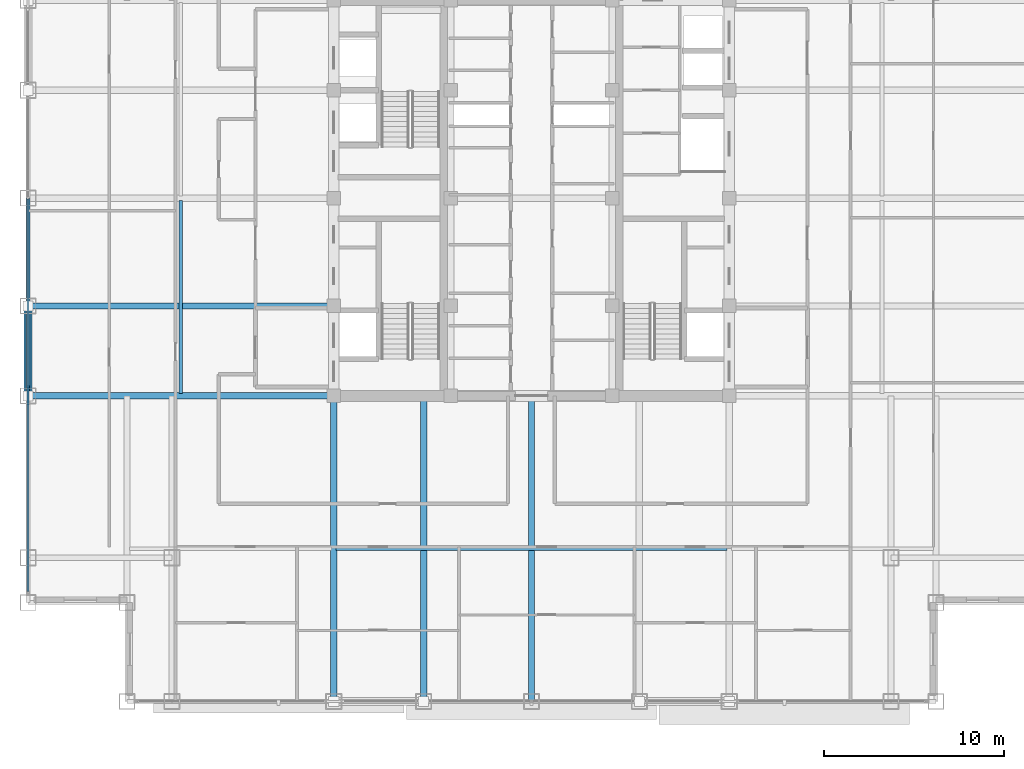
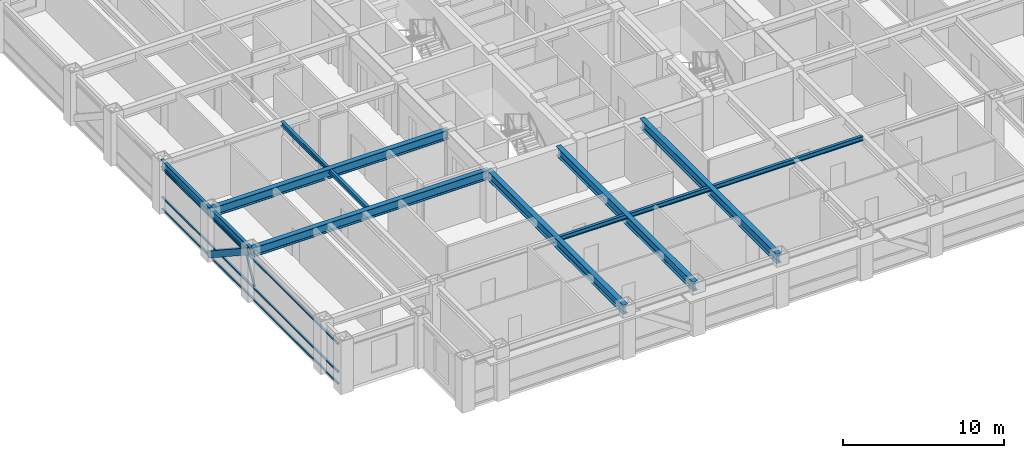
# One storey, part 5 of 29: 9 beams, 5 members, 1 element without a shape of its own.
"""IFC4 building model written with IfcOpenShell, lengths in metres."""

from ifc_helpers import new_model, si_unit, direction, frame, origin, origin_2d, place, context, subcontext, project, spatial, hollow_rectangle, i_section, extrude, source, transform, mapped, material, material_profile, profile_set, type_object, element, aggregate, save


model = new_model("IFC4")

# Units and contexts
model_context = context("Model", 3, precision=1e-05, world=origin(), true_north=direction((0.0, 1.0)))
body_context = subcontext(model_context, "Body", "Model", "MODEL_VIEW")
ifc_project = project(units=[si_unit("LENGTHUNIT", "METRE"), si_unit("AREAUNIT", "SQUARE_METRE"), si_unit("VOLUMEUNIT", "CUBIC_METRE"), si_unit("PLANEANGLEUNIT", "RADIAN"), si_unit("MASSUNIT", "GRAM", prefix="KILO")], contexts=[model_context])

# Site, building, storey
site_placement = place(None, origin())
site = spatial("IfcSite", under=ifc_project, at=site_placement, CompositionType="ELEMENT")
building_placement = place(site_placement, origin())
building = spatial("IfcBuilding", under=site, at=building_placement, Name="Khorayat Bourse Tower", CompositionType="ELEMENT")
storey_placement = place(building_placement, frame((0.0, 0.0, 277.5)))
storey = spatial("IfcBuildingStorey", under=building, at=storey_placement, Name="L65", CompositionType="ELEMENT", Elevation=277.5)

# Member
ifc_material_1 = material(Name="Steel EN 10025-4 S460M", Category="steel")
ifc_material_profile_1 = material_profile(ifc_material_1, hollow_rectangle(XDim=0.449951171875, YDim=0.449951171875, WallThickness=0.02490234375, at=origin_2d()), Name="HSS 450x450x25")
ifc_profile_set_1 = profile_set([ifc_material_profile_1], Name="Steel EN 10025-4 S460M")
member_type_1 = type_object("IfcMemberType", Name="MBR-TUBE-450", PredefinedType="BRACE", material=ifc_profile_set_1)
shared_shape_1 = source(origin(), body_context, "Body", "SweptSolid", [
    extrude(hollow_rectangle(XDim=0.449951171875, YDim=0.449951171875, WallThickness=0.02490234375, at=origin_2d()), origin(), (0.0, 0.0, 1.0), 5.979736328125),
])
member_1_placement = place(storey_placement, frame((-28.0, -11.0, 3.530029296875), z_axis=(0.0, 0.836141536525, -0.548513747227), x_axis=(-1.0, 0.0, 0.0)))
element("IfcMember", 1, at=member_1_placement, inside=storey, type_object=member_type_1, Name="L65 Perimeter Tube Brace 05", PredefinedType="BRACE", context=body_context, shape_type="MappedRepresentation", body=[
    mapped(shared_shape_1, transform((0.0, 0.0, 0.0), scale=1.0)),
])

# Beams
ifc_material_2 = material(Name="Steel ASTM A992 Grade 50", Category="steel")
ifc_material_profile_2 = material_profile(ifc_material_2, i_section(OverallWidth=0.35498046875, OverallDepth=0.695068359375, WebThickness=0.015380859375, FlangeThickness=0.02490234375, FilletRadius=0.01806640625, at=origin_2d()), Name="W690X217")
ifc_profile_set_2 = profile_set([ifc_material_profile_2], Name="Steel ASTM A992 Grade 50")
beam_type_1 = type_object("IfcBeamType", Name="BM-GIRD-690", PredefinedType="BEAM", material=ifc_profile_set_2)
shared_shape_2 = source(origin(), body_context, "Body", "SweptSolid", [
    extrude(i_section(OverallWidth=0.35498046875, OverallDepth=0.695068359375, WebThickness=0.015380859375, FlangeThickness=0.02490234375, FilletRadius=0.01806640625, at=origin_2d()), origin(), (0.0, 0.0, 1.0), 17.0),
])
for number, where, z_axis, x_axis, name in (
    (2, (-11.0, -28.0, 3.4326171875), (0.0, 1.0, 0.0), (-1.0, 0.0, 0.0), "L65 BM-GIRD-690 BM-L65-RADY-065"),
    (3, (-6.0, -28.0, 3.4326171875), (0.0, 1.0, 0.0), (-1.0, 0.0, 0.0), "L65 BM-GIRD-690 BM-L65-RADY-067"),
    (4, (0.0, -28.0, 3.4326171875), (0.0, 1.0, 0.0), (-1.0, 0.0, 0.0), "L65 BM-GIRD-690 BM-L65-RADY-069"),
    (5, (-28.0, -11.0, 3.4326171875), (1.0, 0.0, 0.0), (0.0, 1.0, 0.0), "L65 BM-GIRD-690 BM-L65-RADX-075"),
    (6, (-28.0, -6.0, 3.4326171875), (1.0, 0.0, 0.0), (0.0, 1.0, 0.0), "L65 BM-GIRD-690 BM-L65-RADX-077"),
):
    element("IfcBeam", number, at=place(storey_placement, frame(where, z_axis=z_axis, x_axis=x_axis)), inside=storey, type_object=beam_type_1, Name=name, PredefinedType="BEAM", context=body_context, shape_type="MappedRepresentation", body=[
        mapped(shared_shape_2, transform((0.0, 0.0, 0.0), scale=1.0)),
    ])
ifc_material_profile_3 = material_profile(ifc_material_2, i_section(OverallWidth=0.202880859375, OverallDepth=0.346923828125, WebThickness=0.0078125, FlangeThickness=0.013427734375, FilletRadius=0.010009765625, at=origin_2d()), Name="W360X64")
ifc_profile_set_3 = profile_set([ifc_material_profile_3], Name="Steel ASTM A992 Grade 50")
beam_type_2 = type_object("IfcBeamType", Name="BM-JOIST-360", PredefinedType="JOIST", material=ifc_profile_set_3)
shared_shape_3 = source(origin(), body_context, "Body", "SweptSolid", [
    extrude(i_section(OverallWidth=0.202880859375, OverallDepth=0.346923828125, WebThickness=0.0078125, FlangeThickness=0.013427734375, FilletRadius=0.010009765625, at=origin_2d()), origin(), (0.0, 0.0, 1.0), 21.740234375),
])
beam_1_placement = place(storey_placement, frame((-10.8701171875, -19.5, 3.6064453125), z_axis=(1.0, 0.0, 0.0), x_axis=(0.0, 1.0, 0.0)))
element("IfcBeam", 7, at=beam_1_placement, inside=storey, type_object=beam_type_2, Name="L65 BM-JOIST-360 BM-L65-JSTX-097", PredefinedType="JOIST", context=body_context, shape_type="MappedRepresentation", body=[
    mapped(shared_shape_3, transform((0.0, 0.0, 0.0), scale=1.0)),
])
shared_shape_4 = source(origin(), body_context, "Body", "SweptSolid", [
    extrude(i_section(OverallWidth=0.202880859375, OverallDepth=0.346923828125, WebThickness=0.0078125, FlangeThickness=0.013427734375, FilletRadius=0.010009765625, at=origin_2d()), origin(), (0.0, 0.0, 1.0), 10.740234375),
])
beam_2_placement = place(storey_placement, frame((-19.5, -10.8701171875, 3.6064453125), z_axis=(0.0, 1.0, 0.0), x_axis=(-1.0, 0.0, 0.0)))
element("IfcBeam", 8, at=beam_2_placement, inside=storey, type_object=beam_type_2, Name="L65 BM-JOIST-360 BM-L65-JSTY-102", PredefinedType="JOIST", context=body_context, shape_type="MappedRepresentation", body=[
    mapped(shared_shape_4, transform((0.0, 0.0, 0.0), scale=1.0)),
])
ifc_material_profile_4 = material_profile(ifc_material_2, i_section(OverallWidth=0.214111328125, OverallDepth=0.549072265625, WebThickness=0.0146484375, FlangeThickness=0.023681640625, FilletRadius=0.013916015625, at=origin_2d()), Name="W530X138")
ifc_profile_set_4 = profile_set([ifc_material_profile_4], Name="Steel ASTM A992 Grade 50")
beam_type_3 = type_object("IfcBeamType", Name="BM-SPAN-530", PredefinedType="SPANDREL", material=ifc_profile_set_4)
shared_shape_5 = source(origin(), body_context, "Body", "SweptSolid", [
    extrude(i_section(OverallWidth=0.214111328125, OverallDepth=0.549072265625, WebThickness=0.0146484375, FlangeThickness=0.023681640625, FilletRadius=0.013916015625, at=origin_2d()), origin(), (0.0, 0.0, 1.0), 5.0),
])
beam_3_placement = place(storey_placement, frame((-28.0, -11.0, 3.505615234375), z_axis=(0.0, 1.0, 0.0), x_axis=(-1.0, 0.0, 0.0)))
element("IfcBeam", 9, at=beam_3_placement, inside=storey, type_object=beam_type_3, Name="L65 BM-SPAN-530 BM-L65-SPN-059", PredefinedType="SPANDREL", context=body_context, shape_type="MappedRepresentation", body=[
    mapped(shared_shape_5, transform((0.0, 0.0, 0.0), scale=1.0)),
])
shared_shape_6 = source(origin(), body_context, "Body", "SweptSolid", [
    extrude(i_section(OverallWidth=0.214111328125, OverallDepth=0.549072265625, WebThickness=0.0146484375, FlangeThickness=0.023681640625, FilletRadius=0.013916015625, at=origin_2d()), origin(), (0.0, 0.0, 1.0), 6.0),
])
beam_4_placement = place(storey_placement, frame((-28.0, -6.0, 3.505615234375), z_axis=(0.0, 1.0, 0.0), x_axis=(-1.0, 0.0, 0.0)))
element("IfcBeam", 10, at=beam_4_placement, inside=storey, type_object=beam_type_3, Name="L65 BM-SPAN-530 BM-L65-SPN-058", PredefinedType="SPANDREL", context=body_context, shape_type="MappedRepresentation", body=[
    mapped(shared_shape_6, transform((0.0, 0.0, 0.0), scale=1.0)),
])

# Curtain wall, members
ifc_material_3 = material(Name="Aluminium EN AW-6063 T6", Category="aluminium")
curtain_wall_type = type_object("IfcCurtainWallType", Name="CW-SYS-04", PredefinedType="NOTDEFINED", material=ifc_material_3)
curtain_wall_placement = place(storey_placement, origin())
curtain_wall = element("IfcCurtainWall", 11, at=curtain_wall_placement, inside=storey, type_object=curtain_wall_type, Name="L65 Curtain Wall CW-L65-W1", PredefinedType="NOTDEFINED")
ifc_material_profile_5 = material_profile(ifc_material_3, hollow_rectangle(XDim=0.1201171875, YDim=0.1201171875, WallThickness=0.0048828125, at=origin_2d()), Name="ALU 120x120x5")
ifc_profile_set_5 = profile_set([ifc_material_profile_5], Name="Aluminium EN AW-6063 T6")
member_type_2 = type_object("IfcMemberType", Name="CWM-DIAG-120", PredefinedType="MULLION", material=ifc_profile_set_5)
shared_shape_7 = source(origin(), body_context, "Body", "SweptSolid", [
    extrude(hollow_rectangle(XDim=0.1201171875, YDim=0.1201171875, WallThickness=0.0048828125, at=origin_2d()), origin(), (0.0, 0.0, 1.0), 2.0791015625),
])
member_2_placement = place(storey_placement, frame((-28.0, -11.4541015625, 1.090087890625), z_axis=(0.0, 0.465717394116, 0.884933505309), x_axis=(-1.0, 0.0, 0.0)))
member_2 = element("IfcMember", 12, at=member_2_placement, type_object=member_type_2, Name="CW-L65-W1 Faceted Diagonal Mullion 1", PredefinedType="MULLION", context=body_context, shape_type="MappedRepresentation", body=[
    mapped(shared_shape_7, transform((0.0, 0.0, 0.0), scale=1.0)),
])
ifc_material_profile_6 = material_profile(ifc_material_3, hollow_rectangle(XDim=0.1201171875, YDim=0.1201171875, WallThickness=0.0048828125, at=origin_2d()), Name="ALU 120x120x5")
ifc_profile_set_6 = profile_set([ifc_material_profile_6], Name="Aluminium EN AW-6063 T6")
member_type_3 = type_object("IfcMemberType", Name="CWT-HORZ-120", PredefinedType="USERDEFINED", material=ifc_profile_set_6)
shared_shape_8 = source(origin(), body_context, "Body", "SweptSolid", [
    extrude(hollow_rectangle(XDim=0.1201171875, YDim=0.1201171875, WallThickness=0.0048828125, at=origin_2d()), origin(), (0.0, 0.0, 1.0), 21.81982421875),
])
member_3_placement = place(storey_placement, frame((-28.0, -21.8798828125, 0.06005859375), z_axis=(0.0, 1.0, 0.0), x_axis=(-1.0, 0.0, 0.0)))
member_3 = element("IfcMember", 13, at=member_3_placement, type_object=member_type_3, Name="CW-L65-W1 Horizontal Transom 1-1", ObjectType="TRANSOM", PredefinedType="USERDEFINED", context=body_context, shape_type="MappedRepresentation", body=[
    mapped(shared_shape_8, transform((0.0, 0.0, 0.0), scale=1.0)),
])
member_4_placement = place(storey_placement, frame((-28.0, -21.8798828125, 0.949951171875), z_axis=(0.0, 1.0, 0.0), x_axis=(-1.0, 0.0, 0.0)))
member_4 = element("IfcMember", 14, at=member_4_placement, type_object=member_type_3, Name="CW-L65-W1 Horizontal Transom 1-2", ObjectType="TRANSOM", PredefinedType="USERDEFINED", context=body_context, shape_type="MappedRepresentation", body=[
    mapped(shared_shape_8, transform((0.0, 0.0, 0.0), scale=1.0)),
])
member_5_placement = place(storey_placement, frame((-28.0, -21.8798828125, 3.070068359375), z_axis=(0.0, 1.0, 0.0), x_axis=(-1.0, 0.0, 0.0)))
member_5 = element("IfcMember", 15, at=member_5_placement, type_object=member_type_3, Name="CW-L65-W1 Horizontal Transom 1-3", ObjectType="TRANSOM", PredefinedType="USERDEFINED", context=body_context, shape_type="MappedRepresentation", body=[
    mapped(shared_shape_8, transform((0.0, 0.0, 0.0), scale=1.0)),
])
aggregate(curtain_wall, [member_3, member_4, member_5, member_2])

save(model, "model.ifc")
